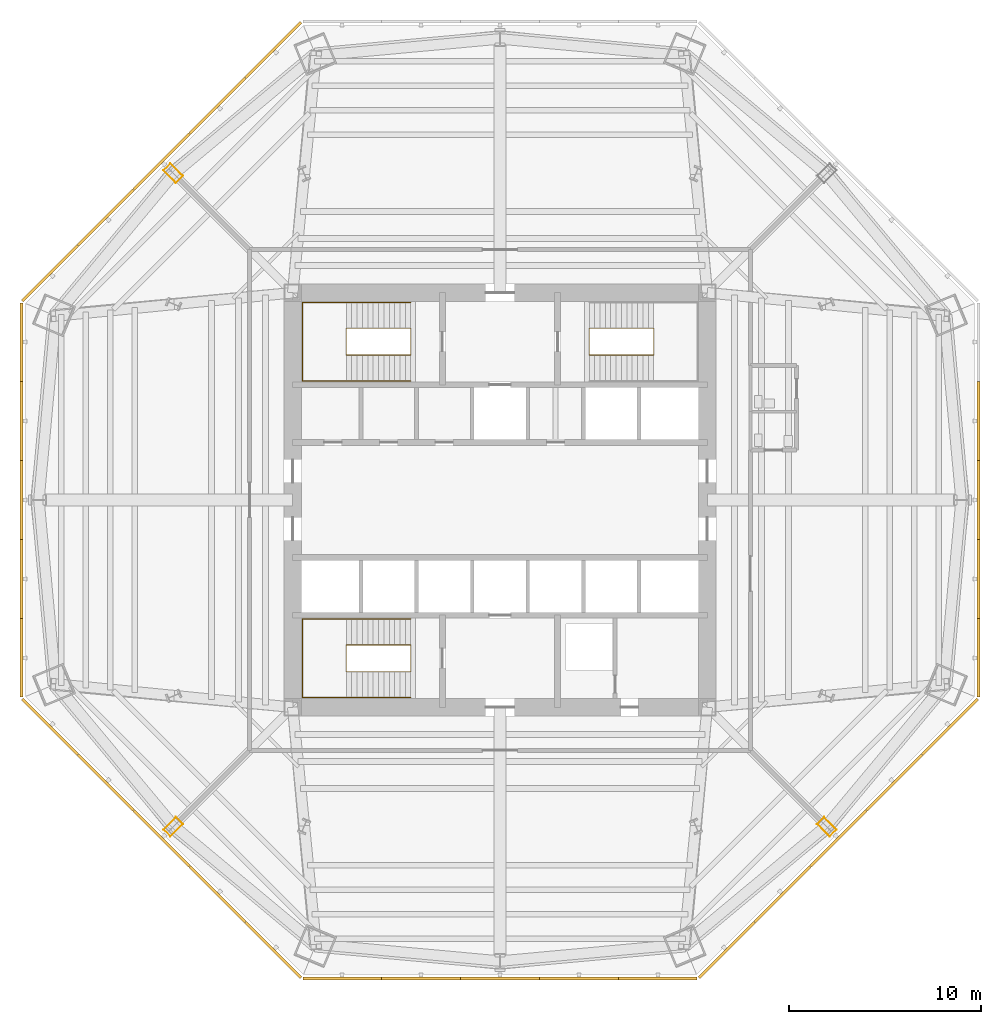
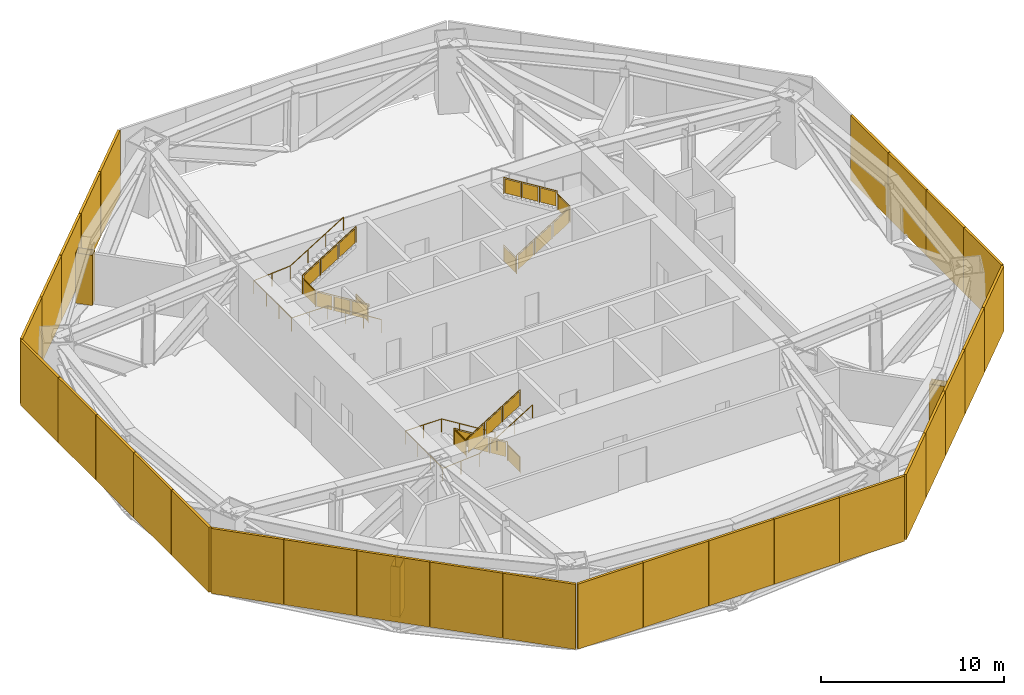
# One storey, part 8 of 10: 29 shading devices, 5 railings, 3 coverings.
"""IFC4 building model written with IfcOpenShell, lengths in metres."""

from ifc_helpers import new_model, si_unit, direction, frame, origin, origin_2d, place, context, subcontext, project, spatial, polyline, rectangle, circle, outline, extrude, source, transform, mapped, material, layer, layer_set, type_object, type_shapes, element, save


model = new_model("IFC4")

# Units and contexts
model_context = context("Model", 3, precision=1e-05, world=origin(), true_north=direction((0.0, 1.0)))
body_context = subcontext(model_context, "Body", "Model", "MODEL_VIEW")
ifc_project = project(units=[si_unit("LENGTHUNIT", "METRE"), si_unit("AREAUNIT", "SQUARE_METRE"), si_unit("VOLUMEUNIT", "CUBIC_METRE"), si_unit("PLANEANGLEUNIT", "RADIAN"), si_unit("MASSUNIT", "GRAM", prefix="KILO")], contexts=[model_context])

# Site, building, storey
site_placement = place(None, origin())
site = spatial("IfcSite", under=ifc_project, at=site_placement, CompositionType="ELEMENT")
building_placement = place(site_placement, origin())
building = spatial("IfcBuilding", under=site, at=building_placement, Name="Mashrafa Tower", CompositionType="ELEMENT")
storey_placement = place(building_placement, frame((0.0, 0.0, 108.89990234375)))
storey = spatial("IfcBuildingStorey", under=building, at=storey_placement, Name="L24", CompositionType="ELEMENT", Elevation=108.89990234375)

# Coverings
ifc_material_1 = material(Name="Gypsum board")
ifc_layer_1 = layer(ifc_material_1, 0.014892578125)
ifc_layer_set_1 = layer_set([ifc_layer_1], Name="Column casing plasterboard 15")
covering_type = type_object("IfcCoveringType", Name="Column casing plasterboard 15", PredefinedType="CLADDING", material=ifc_layer_set_1)
covering_1_placement = place(storey_placement, origin())
element("IfcCovering", 1, at=covering_1_placement, inside=storey, type_object=covering_type, Name="Column casing L24-002", PredefinedType="CLADDING", context=body_context, shape_type="SweptSolid", body=[
    extrude(outline(polyline([(-17.54638671875, 17.171630859375), (-17.171630859375, 17.54638671875), (-16.506591796875, 16.881591796875), (-16.881591796875, 16.506591796875), (-17.54638671875, 17.171630859375)]), holes=[polyline([(-16.52783203125, 16.881591796875), (-17.171630859375, 17.525146484375), (-17.525146484375, 17.171630859375), (-16.881591796875, 16.52783203125), (-16.52783203125, 16.881591796875)])]), origin(), (0.0, 0.0, 1.0), 3.342041015625),
])
covering_2_placement = place(storey_placement, origin())
element("IfcCovering", 2, at=covering_2_placement, inside=storey, type_object=covering_type, Name="Column casing L24-003", PredefinedType="CLADDING", context=body_context, shape_type="SweptSolid", body=[
    extrude(outline(polyline([(-17.54638671875, -17.171630859375), (-16.881591796875, -16.506591796875), (-16.506591796875, -16.881591796875), (-17.171630859375, -17.54638671875), (-17.54638671875, -17.171630859375)]), holes=[polyline([(-16.52783203125, -16.881591796875), (-16.881591796875, -16.52783203125), (-17.525146484375, -17.171630859375), (-17.171630859375, -17.525146484375), (-16.52783203125, -16.881591796875)])]), origin(), (0.0, 0.0, 1.0), 3.342041015625),
])
covering_3_placement = place(storey_placement, origin())
element("IfcCovering", 3, at=covering_3_placement, inside=storey, type_object=covering_type, Name="Column casing L24-004", PredefinedType="CLADDING", context=body_context, shape_type="SweptSolid", body=[
    extrude(outline(polyline([(16.506591796875, -16.881591796875), (16.881591796875, -16.506591796875), (17.54638671875, -17.171630859375), (17.171630859375, -17.54638671875), (16.506591796875, -16.881591796875)]), holes=[polyline([(17.525146484375, -17.171630859375), (16.881591796875, -16.52783203125), (16.52783203125, -16.881591796875), (17.171630859375, -17.525146484375), (17.525146484375, -17.171630859375)])]), origin(), (0.0, 0.0, 1.0), 3.342041015625),
])

# Railings
ifc_material_2 = material(Name="Steel guard with glass infill", Category="steel")
railing_type_1 = type_object("IfcRailingType", Name="Stair guard 1100", PredefinedType="GUARDRAIL", material=ifc_material_2)
railing_1_placement = place(storey_placement, frame((-4.64990234375, 8.949951171875, 0.0)))
element("IfcRailing", 4, at=railing_1_placement, inside=storey, type_object=railing_type_1, Name="Stair S1 guard L24", PredefinedType="GUARDRAIL", context=body_context, shape_type="SweptSolid", body=[
    extrude(circle(Radius=0.02392578125, at=origin_2d()), frame((0.0, 0.0, 1.076171875), z_axis=(0.0, -1.0, 0.0), x_axis=(1.0, 0.0, 0.0)), (0.0, 0.0, 1.0), 1.39990234375),
    extrude(circle(Radius=0.02392578125, at=origin_2d()), frame((0.0, -1.39990234375, 1.076171875), z_axis=(0.0, 0.0, 1.0), x_axis=(1.0, 0.0, 0.0)), (0.0, 0.0, 1.0), 0.173095703125),
    extrude(circle(Radius=0.02392578125, at=origin_2d()), frame((0.0, -1.39990234375, 1.2490234375), z_axis=(-0.850623216509, 0.0, 0.525775754039), x_axis=(0.0, -1.0, 0.0)), (0.0, 0.0, 1.0), 3.9501953125),
    extrude(circle(Radius=0.02392578125, at=origin_2d()), frame((-3.360107421875, -1.39990234375, 3.326171875), z_axis=(0.0, 1.0, 0.0), x_axis=(-1.0, 0.0, 0.0)), (0.0, 0.0, 1.0), 1.39990234375),
    extrude(circle(Radius=0.02392578125, at=origin_2d()), frame((-3.360107421875, 0.0, 3.326171875), z_axis=(0.0, 0.0, 1.0), x_axis=(1.0, 0.0, 0.0)), (0.0, 0.0, 1.0), 0.173095703125),
    extrude(circle(Radius=0.02392578125, at=origin_2d()), frame((-3.360107421875, 0.0, 3.4990234375), z_axis=(0.850623216509, 0.0, 0.525775754039), x_axis=(0.0, 1.0, 0.0)), (0.0, 0.0, 1.0), 3.9501953125),
    extrude(circle(Radius=0.02099609375, at=origin_2d()), origin(), (0.0, 0.0, 1.0), 1.052001953125),
    extrude(circle(Radius=0.02099609375, at=origin_2d()), frame((0.0, -1.39990234375, 0.0)), (0.0, 0.0, 1.0), 1.052001953125),
    extrude(circle(Radius=0.02099609375, at=origin_2d()), frame((0.0, -1.39990234375, 0.173095703125)), (0.0, 0.0, 1.0), 1.052001953125),
    extrude(circle(Radius=0.02099609375, at=origin_2d()), frame((-1.1201171875, -1.39990234375, 0.865478515625)), (0.0, 0.0, 1.0), 1.052001953125),
    extrude(circle(Radius=0.02099609375, at=origin_2d()), frame((-2.239990234375, -1.39990234375, 1.5576171875)), (0.0, 0.0, 1.0), 1.052001953125),
    extrude(circle(Radius=0.02099609375, at=origin_2d()), frame((-3.360107421875, -1.39990234375, 2.25)), (0.0, 0.0, 1.0), 1.052001953125),
    extrude(circle(Radius=0.02099609375, at=origin_2d()), frame((-3.360107421875, 0.0, 2.25)), (0.0, 0.0, 1.0), 1.052001953125),
    extrude(circle(Radius=0.02099609375, at=origin_2d()), frame((-3.360107421875, 0.0, 2.423095703125)), (0.0, 0.0, 1.0), 1.052001953125),
    extrude(circle(Radius=0.02099609375, at=origin_2d()), frame((-2.239990234375, 0.0, 3.115478515625)), (0.0, 0.0, 1.0), 1.052001953125),
    extrude(circle(Radius=0.02099609375, at=origin_2d()), frame((-1.1201171875, 0.0, 3.8076171875)), (0.0, 0.0, 1.0), 1.052001953125),
    extrude(circle(Radius=0.02099609375, at=origin_2d()), frame((0.0, 0.0, 4.5)), (0.0, 0.0, 1.0), 1.052001953125),
    extrude(outline(polyline([(0.071044921875, 0.050048828125), (1.328857421875, 0.050048828125), (1.328857421875, 1.001953125), (0.071044921875, 1.001953125), (0.071044921875, 0.050048828125)])), frame((-0.006103515625, 0.0, 0.0), z_axis=(-1.0, 0.0, 0.0), x_axis=(0.0, -1.0, 0.0)), (0.0, 0.0, 1.0), 0.011962890625),
    extrude(outline(polyline([(0.071044921875, 0.093994140625), (1.049072265625, 0.698486328125), (1.049072265625, 1.650390625), (0.071044921875, 1.0458984375), (0.071044921875, 0.093994140625)])), frame((0.0, -1.393798828125, 0.173095703125), z_axis=(0.0, 1.0, 0.0), x_axis=(-1.0, 0.0, 0.0)), (0.0, 0.0, 1.0), 0.011962890625),
    extrude(outline(polyline([(1.19091796875, 0.7861328125), (2.169189453125, 1.390625), (2.169189453125, 2.3427734375), (1.19091796875, 1.73828125), (1.19091796875, 0.7861328125)])), frame((0.0, -1.393798828125, 0.173095703125), z_axis=(0.0, 1.0, 0.0), x_axis=(-1.0, 0.0, 0.0)), (0.0, 0.0, 1.0), 0.011962890625),
    extrude(outline(polyline([(2.31103515625, 1.478515625), (3.2890625, 2.0830078125), (3.2890625, 3.034912109375), (2.31103515625, 2.430419921875), (2.31103515625, 1.478515625)])), frame((0.0, -1.393798828125, 0.173095703125), z_axis=(0.0, 1.0, 0.0), x_axis=(-1.0, 0.0, 0.0)), (0.0, 0.0, 1.0), 0.011962890625),
    extrude(outline(polyline([(0.071044921875, 0.050048828125), (1.328857421875, 0.050048828125), (1.328857421875, 1.001953125), (0.071044921875, 1.001953125), (0.071044921875, 0.050048828125)])), frame((-3.35400390625, -1.39990234375, 2.25), z_axis=(1.0, 0.0, 0.0), x_axis=(0.0, 1.0, 0.0)), (0.0, 0.0, 1.0), 0.011962890625),
    extrude(outline(polyline([(0.071044921875, 0.093994140625), (1.049072265625, 0.698486328125), (1.049072265625, 1.650390625), (0.071044921875, 1.0458984375), (0.071044921875, 0.093994140625)])), frame((-3.360107421875, -0.006103515625, 2.423095703125), z_axis=(0.0, -1.0, 0.0), x_axis=(1.0, 0.0, 0.0)), (0.0, 0.0, 1.0), 0.011962890625),
    extrude(outline(polyline([(1.19091796875, 0.7861328125), (2.169189453125, 1.390625), (2.169189453125, 2.3427734375), (1.19091796875, 1.73828125), (1.19091796875, 0.7861328125)])), frame((-3.360107421875, -0.006103515625, 2.423095703125), z_axis=(0.0, -1.0, 0.0), x_axis=(1.0, 0.0, 0.0)), (0.0, 0.0, 1.0), 0.011962890625),
    extrude(outline(polyline([(2.31103515625, 1.478515625), (3.2890625, 2.0830078125), (3.2890625, 3.034912109375), (2.31103515625, 2.430419921875), (2.31103515625, 1.478515625)])), frame((-3.360107421875, -0.006103515625, 2.423095703125), z_axis=(0.0, -1.0, 0.0), x_axis=(1.0, 0.0, 0.0)), (0.0, 0.0, 1.0), 0.011962890625),
])
railing_2_placement = place(storey_placement, frame((4.64990234375, 8.949951171875, 0.0)))
element("IfcRailing", 5, at=railing_2_placement, inside=storey, type_object=railing_type_1, Name="Stair S2 guard L24", PredefinedType="GUARDRAIL", context=body_context, shape_type="SweptSolid", body=[
    extrude(circle(Radius=0.02392578125, at=origin_2d()), frame((0.0, 0.0, 1.076171875), z_axis=(0.0, -1.0, 0.0), x_axis=(1.0, 0.0, 0.0)), (0.0, 0.0, 1.0), 1.39990234375),
    extrude(circle(Radius=0.02392578125, at=origin_2d()), frame((0.0, -1.39990234375, 1.076171875), z_axis=(0.0, 0.0, 1.0), x_axis=(1.0, 0.0, 0.0)), (0.0, 0.0, 1.0), 0.173095703125),
    extrude(circle(Radius=0.02392578125, at=origin_2d()), frame((0.0, -1.39990234375, 1.2490234375), z_axis=(0.850623216509, 0.0, 0.525775754039), x_axis=(0.0, 1.0, 0.0)), (0.0, 0.0, 1.0), 3.9501953125),
    extrude(circle(Radius=0.02392578125, at=origin_2d()), frame((3.360107421875, -1.39990234375, 3.326171875), z_axis=(0.0, 1.0, 0.0), x_axis=(-1.0, 0.0, 0.0)), (0.0, 0.0, 1.0), 1.39990234375),
    extrude(circle(Radius=0.02392578125, at=origin_2d()), frame((3.360107421875, 0.0, 3.326171875), z_axis=(0.0, 0.0, 1.0), x_axis=(1.0, 0.0, 0.0)), (0.0, 0.0, 1.0), 0.173095703125),
    extrude(circle(Radius=0.02392578125, at=origin_2d()), frame((3.360107421875, 0.0, 3.4990234375), z_axis=(-0.850623216509, 0.0, 0.525775754039), x_axis=(0.0, -1.0, 0.0)), (0.0, 0.0, 1.0), 3.9501953125),
    extrude(circle(Radius=0.02099609375, at=origin_2d()), origin(), (0.0, 0.0, 1.0), 1.052001953125),
    extrude(circle(Radius=0.02099609375, at=origin_2d()), frame((0.0, -1.39990234375, 0.0)), (0.0, 0.0, 1.0), 1.052001953125),
    extrude(circle(Radius=0.02099609375, at=origin_2d()), frame((0.0, -1.39990234375, 0.173095703125)), (0.0, 0.0, 1.0), 1.052001953125),
    extrude(circle(Radius=0.02099609375, at=origin_2d()), frame((1.1201171875, -1.39990234375, 0.865478515625)), (0.0, 0.0, 1.0), 1.052001953125),
    extrude(circle(Radius=0.02099609375, at=origin_2d()), frame((2.239990234375, -1.39990234375, 1.5576171875)), (0.0, 0.0, 1.0), 1.052001953125),
    extrude(circle(Radius=0.02099609375, at=origin_2d()), frame((3.360107421875, -1.39990234375, 2.25)), (0.0, 0.0, 1.0), 1.052001953125),
    extrude(circle(Radius=0.02099609375, at=origin_2d()), frame((3.360107421875, 0.0, 2.25)), (0.0, 0.0, 1.0), 1.052001953125),
    extrude(circle(Radius=0.02099609375, at=origin_2d()), frame((3.360107421875, 0.0, 2.423095703125)), (0.0, 0.0, 1.0), 1.052001953125),
    extrude(circle(Radius=0.02099609375, at=origin_2d()), frame((2.239990234375, 0.0, 3.115478515625)), (0.0, 0.0, 1.0), 1.052001953125),
    extrude(circle(Radius=0.02099609375, at=origin_2d()), frame((1.1201171875, 0.0, 3.8076171875)), (0.0, 0.0, 1.0), 1.052001953125),
    extrude(circle(Radius=0.02099609375, at=origin_2d()), frame((0.0, 0.0, 4.5)), (0.0, 0.0, 1.0), 1.052001953125),
    extrude(outline(polyline([(0.071044921875, 0.050048828125), (1.328857421875, 0.050048828125), (1.328857421875, 1.001953125), (0.071044921875, 1.001953125), (0.071044921875, 0.050048828125)])), frame((-0.006103515625, 0.0, 0.0), z_axis=(-1.0, 0.0, 0.0), x_axis=(0.0, -1.0, 0.0)), (0.0, 0.0, 1.0), 0.011962890625),
    extrude(outline(polyline([(0.071044921875, 0.093994140625), (1.049072265625, 0.698486328125), (1.049072265625, 1.650390625), (0.071044921875, 1.0458984375), (0.071044921875, 0.093994140625)])), frame((0.0, -1.406005859375, 0.173095703125), z_axis=(0.0, -1.0, 0.0), x_axis=(1.0, 0.0, 0.0)), (0.0, 0.0, 1.0), 0.011962890625),
    extrude(outline(polyline([(1.19091796875, 0.7861328125), (2.169189453125, 1.390625), (2.169189453125, 2.3427734375), (1.19091796875, 1.73828125), (1.19091796875, 0.7861328125)])), frame((0.0, -1.406005859375, 0.173095703125), z_axis=(0.0, -1.0, 0.0), x_axis=(1.0, 0.0, 0.0)), (0.0, 0.0, 1.0), 0.011962890625),
    extrude(outline(polyline([(2.31103515625, 1.478515625), (3.2890625, 2.0830078125), (3.2890625, 3.034912109375), (2.31103515625, 2.430419921875), (2.31103515625, 1.478515625)])), frame((0.0, -1.406005859375, 0.173095703125), z_axis=(0.0, -1.0, 0.0), x_axis=(1.0, 0.0, 0.0)), (0.0, 0.0, 1.0), 0.011962890625),
    extrude(outline(polyline([(0.071044921875, 0.050048828125), (1.328857421875, 0.050048828125), (1.328857421875, 1.001953125), (0.071044921875, 1.001953125), (0.071044921875, 0.050048828125)])), frame((3.3662109375, -1.39990234375, 2.25), z_axis=(1.0, 0.0, 0.0), x_axis=(0.0, 1.0, 0.0)), (0.0, 0.0, 1.0), 0.011962890625),
    extrude(outline(polyline([(0.071044921875, 0.093994140625), (1.049072265625, 0.698486328125), (1.049072265625, 1.650390625), (0.071044921875, 1.0458984375), (0.071044921875, 0.093994140625)])), frame((3.360107421875, 0.006103515625, 2.423095703125), z_axis=(0.0, 1.0, 0.0), x_axis=(-1.0, 0.0, 0.0)), (0.0, 0.0, 1.0), 0.011962890625),
    extrude(outline(polyline([(1.19091796875, 0.7861328125), (2.169189453125, 1.390625), (2.169189453125, 2.3427734375), (1.19091796875, 1.73828125), (1.19091796875, 0.7861328125)])), frame((3.360107421875, 0.006103515625, 2.423095703125), z_axis=(0.0, 1.0, 0.0), x_axis=(-1.0, 0.0, 0.0)), (0.0, 0.0, 1.0), 0.011962890625),
    extrude(outline(polyline([(2.31103515625, 1.478515625), (3.2890625, 2.0830078125), (3.2890625, 3.034912109375), (2.31103515625, 2.430419921875), (2.31103515625, 1.478515625)])), frame((3.360107421875, 0.006103515625, 2.423095703125), z_axis=(0.0, 1.0, 0.0), x_axis=(-1.0, 0.0, 0.0)), (0.0, 0.0, 1.0), 0.011962890625),
])
railing_3_placement = place(storey_placement, frame((-4.64990234375, -8.949951171875, 0.0)))
element("IfcRailing", 6, at=railing_3_placement, inside=storey, type_object=railing_type_1, Name="Stair S3 guard L24", PredefinedType="GUARDRAIL", context=body_context, shape_type="SweptSolid", body=[
    extrude(circle(Radius=0.02392578125, at=origin_2d()), frame((0.0, 0.0, 1.076171875), z_axis=(0.0, 1.0, 0.0), x_axis=(-1.0, 0.0, 0.0)), (0.0, 0.0, 1.0), 1.39990234375),
    extrude(circle(Radius=0.02392578125, at=origin_2d()), frame((0.0, 1.39990234375, 1.076171875), z_axis=(0.0, 0.0, 1.0), x_axis=(1.0, 0.0, 0.0)), (0.0, 0.0, 1.0), 0.173095703125),
    extrude(circle(Radius=0.02392578125, at=origin_2d()), frame((0.0, 1.39990234375, 1.2490234375), z_axis=(-0.850623216509, 0.0, 0.525775754039), x_axis=(0.0, -1.0, 0.0)), (0.0, 0.0, 1.0), 3.9501953125),
    extrude(circle(Radius=0.02392578125, at=origin_2d()), frame((-3.360107421875, 1.39990234375, 3.326171875), z_axis=(0.0, -1.0, 0.0), x_axis=(1.0, 0.0, 0.0)), (0.0, 0.0, 1.0), 1.39990234375),
    extrude(circle(Radius=0.02392578125, at=origin_2d()), frame((-3.360107421875, 0.0, 3.326171875), z_axis=(0.0, 0.0, 1.0), x_axis=(1.0, 0.0, 0.0)), (0.0, 0.0, 1.0), 0.173095703125),
    extrude(circle(Radius=0.02392578125, at=origin_2d()), frame((-3.360107421875, 0.0, 3.4990234375), z_axis=(0.850623216509, 0.0, 0.525775754039), x_axis=(0.0, 1.0, 0.0)), (0.0, 0.0, 1.0), 3.9501953125),
    extrude(circle(Radius=0.02099609375, at=origin_2d()), origin(), (0.0, 0.0, 1.0), 1.052001953125),
    extrude(circle(Radius=0.02099609375, at=origin_2d()), frame((0.0, 1.39990234375, 0.0)), (0.0, 0.0, 1.0), 1.052001953125),
    extrude(circle(Radius=0.02099609375, at=origin_2d()), frame((0.0, 1.39990234375, 0.173095703125)), (0.0, 0.0, 1.0), 1.052001953125),
    extrude(circle(Radius=0.02099609375, at=origin_2d()), frame((-1.1201171875, 1.39990234375, 0.865478515625)), (0.0, 0.0, 1.0), 1.052001953125),
    extrude(circle(Radius=0.02099609375, at=origin_2d()), frame((-2.239990234375, 1.39990234375, 1.5576171875)), (0.0, 0.0, 1.0), 1.052001953125),
    extrude(circle(Radius=0.02099609375, at=origin_2d()), frame((-3.360107421875, 1.39990234375, 2.25)), (0.0, 0.0, 1.0), 1.052001953125),
    extrude(circle(Radius=0.02099609375, at=origin_2d()), frame((-3.360107421875, 0.0, 2.25)), (0.0, 0.0, 1.0), 1.052001953125),
    extrude(circle(Radius=0.02099609375, at=origin_2d()), frame((-3.360107421875, 0.0, 2.423095703125)), (0.0, 0.0, 1.0), 1.052001953125),
    extrude(circle(Radius=0.02099609375, at=origin_2d()), frame((-2.239990234375, 0.0, 3.115478515625)), (0.0, 0.0, 1.0), 1.052001953125),
    extrude(circle(Radius=0.02099609375, at=origin_2d()), frame((-1.1201171875, 0.0, 3.8076171875)), (0.0, 0.0, 1.0), 1.052001953125),
    extrude(circle(Radius=0.02099609375, at=origin_2d()), frame((0.0, 0.0, 4.5)), (0.0, 0.0, 1.0), 1.052001953125),
    extrude(outline(polyline([(0.071044921875, 0.050048828125), (1.328857421875, 0.050048828125), (1.328857421875, 1.001953125), (0.071044921875, 1.001953125), (0.071044921875, 0.050048828125)])), frame((0.006103515625, 0.0, 0.0), z_axis=(1.0, 0.0, 0.0), x_axis=(0.0, 1.0, 0.0)), (0.0, 0.0, 1.0), 0.011962890625),
    extrude(outline(polyline([(0.071044921875, 0.093994140625), (1.049072265625, 0.698486328125), (1.049072265625, 1.650390625), (0.071044921875, 1.0458984375), (0.071044921875, 0.093994140625)])), frame((0.0, 1.406005859375, 0.173095703125), z_axis=(0.0, 1.0, 0.0), x_axis=(-1.0, 0.0, 0.0)), (0.0, 0.0, 1.0), 0.011962890625),
    extrude(outline(polyline([(1.19091796875, 0.7861328125), (2.169189453125, 1.390625), (2.169189453125, 2.3427734375), (1.19091796875, 1.73828125), (1.19091796875, 0.7861328125)])), frame((0.0, 1.406005859375, 0.173095703125), z_axis=(0.0, 1.0, 0.0), x_axis=(-1.0, 0.0, 0.0)), (0.0, 0.0, 1.0), 0.011962890625),
    extrude(outline(polyline([(2.31103515625, 1.478515625), (3.2890625, 2.0830078125), (3.2890625, 3.034912109375), (2.31103515625, 2.430419921875), (2.31103515625, 1.478515625)])), frame((0.0, 1.406005859375, 0.173095703125), z_axis=(0.0, 1.0, 0.0), x_axis=(-1.0, 0.0, 0.0)), (0.0, 0.0, 1.0), 0.011962890625),
    extrude(outline(polyline([(0.071044921875, 0.050048828125), (1.328857421875, 0.050048828125), (1.328857421875, 1.001953125), (0.071044921875, 1.001953125), (0.071044921875, 0.050048828125)])), frame((-3.3662109375, 1.39990234375, 2.25), z_axis=(-1.0, 0.0, 0.0), x_axis=(0.0, -1.0, 0.0)), (0.0, 0.0, 1.0), 0.011962890625),
    extrude(outline(polyline([(0.071044921875, 0.093994140625), (1.049072265625, 0.698486328125), (1.049072265625, 1.650390625), (0.071044921875, 1.0458984375), (0.071044921875, 0.093994140625)])), frame((-3.360107421875, -0.006103515625, 2.423095703125), z_axis=(0.0, -1.0, 0.0), x_axis=(1.0, 0.0, 0.0)), (0.0, 0.0, 1.0), 0.011962890625),
    extrude(outline(polyline([(1.19091796875, 0.7861328125), (2.169189453125, 1.390625), (2.169189453125, 2.3427734375), (1.19091796875, 1.73828125), (1.19091796875, 0.7861328125)])), frame((-3.360107421875, -0.006103515625, 2.423095703125), z_axis=(0.0, -1.0, 0.0), x_axis=(1.0, 0.0, 0.0)), (0.0, 0.0, 1.0), 0.011962890625),
    extrude(outline(polyline([(2.31103515625, 1.478515625), (3.2890625, 2.0830078125), (3.2890625, 3.034912109375), (2.31103515625, 2.430419921875), (2.31103515625, 1.478515625)])), frame((-3.360107421875, -0.006103515625, 2.423095703125), z_axis=(0.0, -1.0, 0.0), x_axis=(1.0, 0.0, 0.0)), (0.0, 0.0, 1.0), 0.011962890625),
])
ifc_material_3 = material(Name="Steel", Category="steel")
railing_type_2 = type_object("IfcRailingType", Name="Stair handrail 900", PredefinedType="HANDRAIL", material=ifc_material_3)
railing_4_placement = place(storey_placement, frame((-4.64990234375, 6.199951171875, 0.173095703125)))
element("IfcRailing", 7, at=railing_4_placement, inside=storey, type_object=railing_type_2, Name="Stair S1 handrail L24", PredefinedType="HANDRAIL", context=body_context, shape_type="SweptSolid", body=[
    extrude(circle(Radius=0.02392578125, at=origin_2d()), frame((0.0, 0.0, 0.8759765625), z_axis=(-0.850623216509, 0.0, 0.525775754039), x_axis=(0.0, -1.0, 0.0)), (0.0, 0.0, 1.0), 3.9501953125),
    extrude(circle(Radius=0.02392578125, at=origin_2d()), frame((-3.360107421875, 0.0, 2.95263671875), z_axis=(-1.0, 0.0, 0.0), x_axis=(0.0, -1.0, 0.0)), (0.0, 0.0, 1.0), 2.2900390625),
    extrude(circle(Radius=0.02392578125, at=origin_2d()), frame((-5.650146484375, 0.0, 2.95263671875), z_axis=(0.0, 1.0, 0.0), x_axis=(-1.0, 0.0, 0.0)), (0.0, 0.0, 1.0), 4.10009765625),
    extrude(circle(Radius=0.02392578125, at=origin_2d()), frame((-5.650146484375, 4.10009765625, 2.95263671875), z_axis=(0.99715553422, 0.0, 0.075371351147), x_axis=(0.0, 1.0, 0.0)), (0.0, 0.0, 1.0), 2.296630859375),
    extrude(circle(Radius=0.02392578125, at=origin_2d()), frame((-3.360107421875, 4.10009765625, 3.1259765625), z_axis=(0.850623216509, 0.0, 0.525775754039), x_axis=(0.0, 1.0, 0.0)), (0.0, 0.0, 1.0), 3.9501953125),
    extrude(circle(Radius=0.02099609375, at=origin_2d()), origin(), (0.0, 0.0, 1.0), 0.851806640625),
    extrude(circle(Radius=0.02099609375, at=origin_2d()), frame((-1.1201171875, 0.0, 0.6923828125)), (0.0, 0.0, 1.0), 0.851806640625),
    extrude(circle(Radius=0.02099609375, at=origin_2d()), frame((-2.239990234375, 0.0, 1.384521484375)), (0.0, 0.0, 1.0), 0.851806640625),
    extrude(circle(Radius=0.02099609375, at=origin_2d()), frame((-3.360107421875, 0.0, 2.076904296875)), (0.0, 0.0, 1.0), 0.851806640625),
    extrude(circle(Radius=0.02099609375, at=origin_2d()), frame((-4.505126953125, 0.0, 2.076904296875)), (0.0, 0.0, 1.0), 0.851806640625),
    extrude(circle(Radius=0.02099609375, at=origin_2d()), frame((-5.650146484375, 0.0, 2.076904296875)), (0.0, 0.0, 1.0), 0.851806640625),
    extrude(circle(Radius=0.02099609375, at=origin_2d()), frame((-5.650146484375, 1.36669921875, 2.076904296875)), (0.0, 0.0, 1.0), 0.851806640625),
    extrude(circle(Radius=0.02099609375, at=origin_2d()), frame((-5.650146484375, 2.7333984375, 2.076904296875)), (0.0, 0.0, 1.0), 0.851806640625),
    extrude(circle(Radius=0.02099609375, at=origin_2d()), frame((-5.650146484375, 4.10009765625, 2.076904296875)), (0.0, 0.0, 1.0), 0.851806640625),
    extrude(circle(Radius=0.02099609375, at=origin_2d()), frame((-4.505126953125, 4.10009765625, 2.16357421875)), (0.0, 0.0, 1.0), 0.851806640625),
    extrude(circle(Radius=0.02099609375, at=origin_2d()), frame((-3.360107421875, 4.10009765625, 2.25)), (0.0, 0.0, 1.0), 0.851806640625),
    extrude(circle(Radius=0.02099609375, at=origin_2d()), frame((-2.239990234375, 4.10009765625, 2.9423828125)), (0.0, 0.0, 1.0), 0.851806640625),
    extrude(circle(Radius=0.02099609375, at=origin_2d()), frame((-1.1201171875, 4.10009765625, 3.634521484375)), (0.0, 0.0, 1.0), 0.851806640625),
    extrude(circle(Radius=0.02099609375, at=origin_2d()), frame((0.0, 4.10009765625, 4.326904296875)), (0.0, 0.0, 1.0), 0.851806640625),
])
railing_5_placement = place(storey_placement, frame((-4.64990234375, -6.199951171875, 0.173095703125)))
element("IfcRailing", 8, at=railing_5_placement, inside=storey, type_object=railing_type_2, Name="Stair S3 handrail L24", PredefinedType="HANDRAIL", context=body_context, shape_type="SweptSolid", body=[
    extrude(circle(Radius=0.02392578125, at=origin_2d()), frame((0.0, 0.0, 0.8759765625), z_axis=(-0.850623216509, 0.0, 0.525775754039), x_axis=(0.0, -1.0, 0.0)), (0.0, 0.0, 1.0), 3.9501953125),
    extrude(circle(Radius=0.02392578125, at=origin_2d()), frame((-3.360107421875, 0.0, 2.95263671875), z_axis=(-1.0, 0.0, 0.0), x_axis=(0.0, -1.0, 0.0)), (0.0, 0.0, 1.0), 2.2900390625),
    extrude(circle(Radius=0.02392578125, at=origin_2d()), frame((-5.650146484375, 0.0, 2.95263671875), z_axis=(0.0, -1.0, 0.0), x_axis=(1.0, 0.0, 0.0)), (0.0, 0.0, 1.0), 4.10009765625),
    extrude(circle(Radius=0.02392578125, at=origin_2d()), frame((-5.650146484375, -4.10009765625, 2.95263671875), z_axis=(0.99715553422, 0.0, 0.075371351147), x_axis=(0.0, 1.0, 0.0)), (0.0, 0.0, 1.0), 2.296630859375),
    extrude(circle(Radius=0.02392578125, at=origin_2d()), frame((-3.360107421875, -4.10009765625, 3.1259765625), z_axis=(0.850623216509, 0.0, 0.525775754039), x_axis=(0.0, 1.0, 0.0)), (0.0, 0.0, 1.0), 3.9501953125),
    extrude(circle(Radius=0.02099609375, at=origin_2d()), origin(), (0.0, 0.0, 1.0), 0.851806640625),
    extrude(circle(Radius=0.02099609375, at=origin_2d()), frame((-1.1201171875, 0.0, 0.6923828125)), (0.0, 0.0, 1.0), 0.851806640625),
    extrude(circle(Radius=0.02099609375, at=origin_2d()), frame((-2.239990234375, 0.0, 1.384521484375)), (0.0, 0.0, 1.0), 0.851806640625),
    extrude(circle(Radius=0.02099609375, at=origin_2d()), frame((-3.360107421875, 0.0, 2.076904296875)), (0.0, 0.0, 1.0), 0.851806640625),
    extrude(circle(Radius=0.02099609375, at=origin_2d()), frame((-4.505126953125, 0.0, 2.076904296875)), (0.0, 0.0, 1.0), 0.851806640625),
    extrude(circle(Radius=0.02099609375, at=origin_2d()), frame((-5.650146484375, 0.0, 2.076904296875)), (0.0, 0.0, 1.0), 0.851806640625),
    extrude(circle(Radius=0.02099609375, at=origin_2d()), frame((-5.650146484375, -1.36669921875, 2.076904296875)), (0.0, 0.0, 1.0), 0.851806640625),
    extrude(circle(Radius=0.02099609375, at=origin_2d()), frame((-5.650146484375, -2.7333984375, 2.076904296875)), (0.0, 0.0, 1.0), 0.851806640625),
    extrude(circle(Radius=0.02099609375, at=origin_2d()), frame((-5.650146484375, -4.10009765625, 2.076904296875)), (0.0, 0.0, 1.0), 0.851806640625),
    extrude(circle(Radius=0.02099609375, at=origin_2d()), frame((-4.505126953125, -4.10009765625, 2.16357421875)), (0.0, 0.0, 1.0), 0.851806640625),
    extrude(circle(Radius=0.02099609375, at=origin_2d()), frame((-3.360107421875, -4.10009765625, 2.25)), (0.0, 0.0, 1.0), 0.851806640625),
    extrude(circle(Radius=0.02099609375, at=origin_2d()), frame((-2.239990234375, -4.10009765625, 2.9423828125)), (0.0, 0.0, 1.0), 0.851806640625),
    extrude(circle(Radius=0.02099609375, at=origin_2d()), frame((-1.1201171875, -4.10009765625, 3.634521484375)), (0.0, 0.0, 1.0), 0.851806640625),
    extrude(circle(Radius=0.02099609375, at=origin_2d()), frame((0.0, -4.10009765625, 4.326904296875)), (0.0, 0.0, 1.0), 0.851806640625),
])

# Shading devices
ifc_material_4 = material(Name="Extruded aluminium weather louvre", Category="aluminium")
ifc_layer_2 = layer(ifc_material_4, 0.14990234375)
ifc_layer_set_2 = layer_set([ifc_layer_2], Name="Plant louvre screen 150")
shading_device_type = type_object("IfcShadingDeviceType", Name="Plant louvre screen 150", PredefinedType="SHUTTER", material=ifc_layer_set_2)
shared_shape = source(origin(), body_context, "Body", "SweptSolid", [
    extrude(rectangle(XDim=4.0947265625, YDim=0.14990234375, at=origin_2d()), origin(), (0.0, 0.0, 1.0), 4.330078125),
])
type_shapes(shading_device_type, [shared_shape])
for number, where, z_axis, x_axis, name in (
    (9, (24.93408203125, -8.2294921875, 0.0), (0.0, 0.0, 1.0), (0.0, 1.0, 0.0), "Plant louvre screen L24 east 1"),
    (10, (24.93408203125, -4.11474609375, 0.0), (0.0, 0.0, 1.0), (0.0, 1.0, 0.0), "Plant louvre screen L24 east 2"),
    (11, (24.93408203125, 0.0, 0.0), (0.0, 0.0, 1.0), (0.0, 1.0, 0.0), "Plant louvre screen L24 east 3"),
    (12, (24.93408203125, 4.11474609375, 0.0), (0.0, 0.0, 1.0), (0.0, 1.0, 0.0), "Plant louvre screen L24 east 4"),
    (13, (-11.811767578125, 23.4501953125, 0.0), (0.0, 0.0, 1.0), (-0.707106781187, -0.707106781187, 0.0), "Plant louvre screen L24 north-west 1"),
    (14, (-14.721435546875, 20.540771484375, 0.0), (0.0, 0.0, 1.0), (-0.707106781187, -0.707106781187, 0.0), "Plant louvre screen L24 north-west 2"),
    (15, (-17.631103515625, 17.631103515625, 0.0), (0.0, 0.0, 1.0), (-0.707106781187, -0.707106781187, 0.0), "Plant louvre screen L24 north-west 3"),
    (16, (-20.540771484375, 14.721435546875, 0.0), (0.0, 0.0, 1.0), (-0.707106781187, -0.707106781187, 0.0), "Plant louvre screen L24 north-west 4"),
    (17, (-23.4501953125, 11.811767578125, 0.0), (0.0, 0.0, 1.0), (-0.707106781187, -0.707106781187, 0.0), "Plant louvre screen L24 north-west 5"),
    (18, (-24.93408203125, 8.2294921875, 0.0), (0.0, 0.0, 1.0), (0.0, -1.0, 0.0), "Plant louvre screen L24 west 1"),
    (19, (-24.93408203125, 4.11474609375, 0.0), (0.0, 0.0, 1.0), (0.0, -1.0, 0.0), "Plant louvre screen L24 west 2"),
    (20, (-24.93408203125, 0.0, 0.0), (0.0, 0.0, 1.0), (0.0, -1.0, 0.0), "Plant louvre screen L24 west 3"),
    (21, (-24.93408203125, -4.11474609375, 0.0), (0.0, 0.0, 1.0), (0.0, -1.0, 0.0), "Plant louvre screen L24 west 4"),
    (22, (-24.93408203125, -8.2294921875, 0.0), (0.0, 0.0, 1.0), (0.0, -1.0, 0.0), "Plant louvre screen L24 west 5"),
    (23, (-23.4501953125, -11.811767578125, 0.0), (0.0, 0.0, 1.0), (0.707106781187, -0.707106781187, 0.0), "Plant louvre screen L24 south-west 1"),
    (24, (-20.540771484375, -14.721435546875, 0.0), (0.0, 0.0, 1.0), (0.707106781187, -0.707106781187, 0.0), "Plant louvre screen L24 south-west 2"),
    (25, (-17.631103515625, -17.631103515625, 0.0), (0.0, 0.0, 1.0), (0.707106781187, -0.707106781187, 0.0), "Plant louvre screen L24 south-west 3"),
    (26, (-14.721435546875, -20.540771484375, 0.0), (0.0, 0.0, 1.0), (0.707106781187, -0.707106781187, 0.0), "Plant louvre screen L24 south-west 4"),
    (27, (-11.811767578125, -23.4501953125, 0.0), (0.0, 0.0, 1.0), (0.707106781187, -0.707106781187, 0.0), "Plant louvre screen L24 south-west 5"),
    (28, (-8.2294921875, -24.93408203125, 0.0), (0.0, 0.0, 1.0), (1.0, 0.0, 0.0), "Plant louvre screen L24 south 1"),
    (29, (-4.11474609375, -24.93408203125, 0.0), (0.0, 0.0, 1.0), (1.0, 0.0, 0.0), "Plant louvre screen L24 south 2"),
    (30, (0.0, -24.93408203125, 0.0), (0.0, 0.0, 1.0), (1.0, 0.0, 0.0), "Plant louvre screen L24 south 3"),
    (31, (4.11474609375, -24.93408203125, 0.0), (0.0, 0.0, 1.0), (1.0, 0.0, 0.0), "Plant louvre screen L24 south 4"),
    (32, (8.2294921875, -24.93408203125, 0.0), (0.0, 0.0, 1.0), (1.0, 0.0, 0.0), "Plant louvre screen L24 south 5"),
    (33, (11.811767578125, -23.4501953125, 0.0), (0.0, 0.0, 1.0), (0.707106781187, 0.707106781187, 0.0), "Plant louvre screen L24 south-east 1"),
    (34, (14.721435546875, -20.540771484375, 0.0), (0.0, 0.0, 1.0), (0.707106781187, 0.707106781187, 0.0), "Plant louvre screen L24 south-east 2"),
    (35, (17.631103515625, -17.631103515625, 0.0), (0.0, 0.0, 1.0), (0.707106781187, 0.707106781187, 0.0), "Plant louvre screen L24 south-east 3"),
    (36, (20.540771484375, -14.721435546875, 0.0), (0.0, 0.0, 1.0), (0.707106781187, 0.707106781187, 0.0), "Plant louvre screen L24 south-east 4"),
    (37, (23.4501953125, -11.811767578125, 0.0), (0.0, 0.0, 1.0), (0.707106781187, 0.707106781187, 0.0), "Plant louvre screen L24 south-east 5"),
):
    element("IfcShadingDevice", number, at=place(storey_placement, frame(where, z_axis=z_axis, x_axis=x_axis)), inside=storey, type_object=shading_device_type, Name=name, PredefinedType="SHUTTER", context=body_context, shape_type="MappedRepresentation", body=[
        mapped(shared_shape, transform((0.0, 0.0, 0.0))),
    ])

save(model, "model.ifc")
